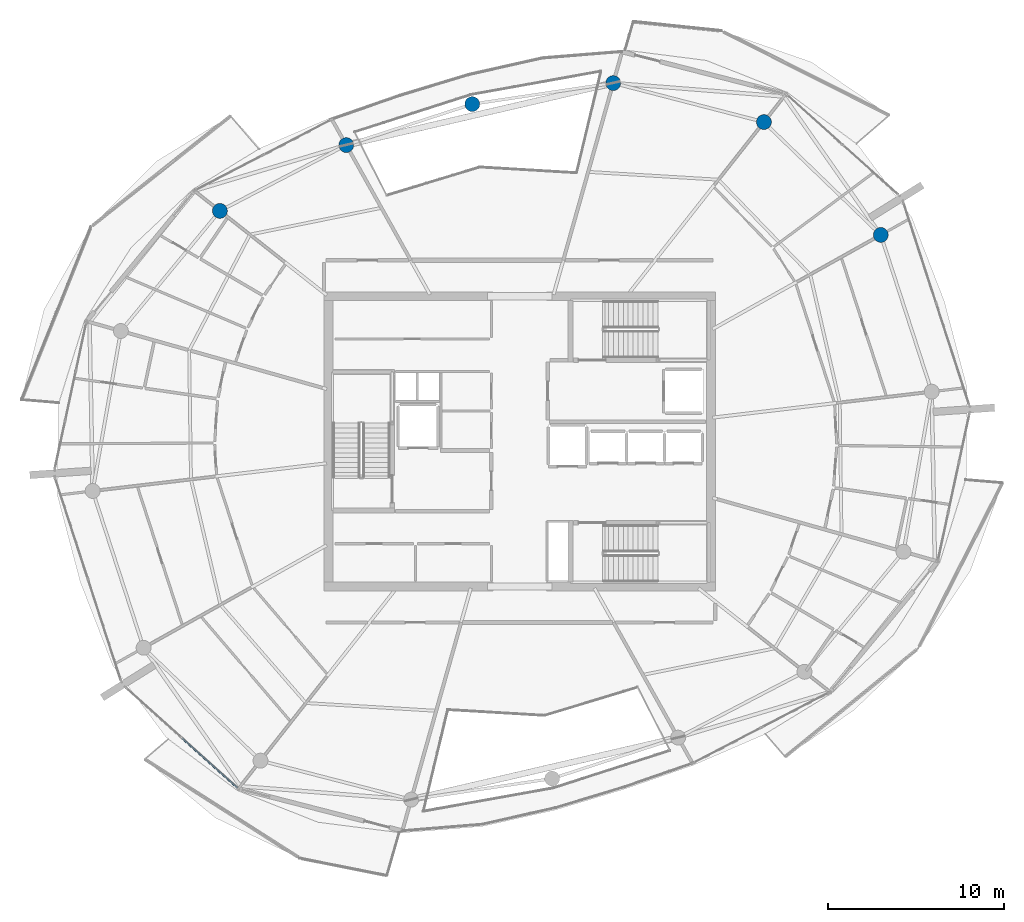
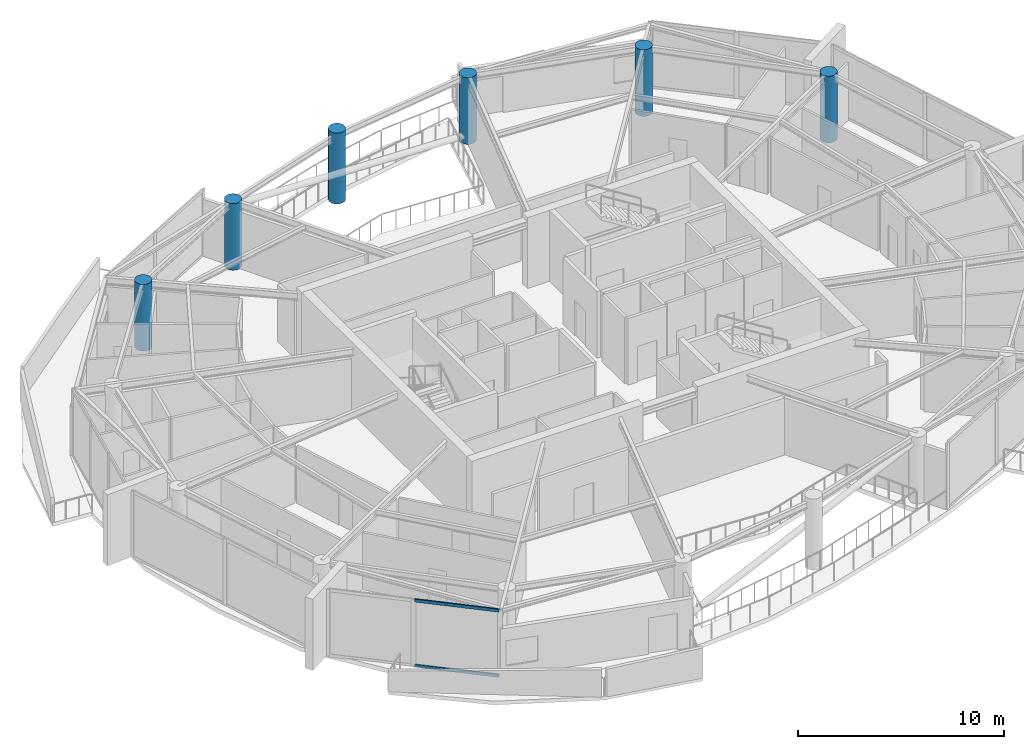
# One storey, part 4 of 22: 6 columns, 2 members, 1 element without a shape of its own.
"""IFC4 building model written with IfcOpenShell, lengths in metres."""

import ifcopenshell
import ifcopenshell.guid

model = None  # the IFC model being written
_history = None  # IfcOwnerHistory: only IFC2X3 demands one
_inside = {}  # id of a spatial element -> (the spatial element, [elements in it])
_under = {}  # id of a project, library or spatial element -> (it, [spatial elements below it])
_declared = {}  # id of a project -> (the project, [libraries it declares])
_typed = {}  # id of a type object -> (the type object, [elements of that type])
_made_of = {}  # id of a material, layer set ... -> (it, [elements and type objects made of it])


def new_model(schema):
    """Start an empty IFC model of exactly this schema.

    Asked for "IFC4X3", IfcOpenShell would pick the latest addendum, in which some entities
    have other attributes; the version numbers below select the first issue.
    IFC2X3 requires an IfcOwnerHistory on every rooted entity: one is made here for all.
    """
    global model, _history
    if schema == "IFC4X3":
        model = ifcopenshell.file(schema_version=(4, 3, 0, 0))
    else:
        model = ifcopenshell.file(schema=schema)
    _inside.clear()
    _under.clear()
    _declared.clear()
    _typed.clear()
    _made_of.clear()
    _history = None
    if model.schema == "IFC2X3":
        org = make("IfcOrganization", Name="unknown")
        user = make(
            "IfcPersonAndOrganization",
            ThePerson=make("IfcPerson", FamilyName="unknown"),
            TheOrganization=org,
        )
        app = make(
            "IfcApplication",
            ApplicationDeveloper=org,
            Version="unknown",
            ApplicationFullName="unknown",
            ApplicationIdentifier="unknown",
        )
        _history = make(
            "IfcOwnerHistory",
            OwningUser=user,
            OwningApplication=app,
            ChangeAction="ADDED",
            CreationDate=0,
        )
    return model


def make(cls, **values):
    """One entity of the class cls with the attributes given. An attribute that is None is left unset."""
    return model.create_entity(
        cls, **{name: value for name, value in values.items() if value is not None}
    )


def rooted(cls, **values):
    """An entity with a GlobalId (a new one), such as an element, a storey or a relation."""
    return make(cls, GlobalId=ifcopenshell.guid.new(), OwnerHistory=_history, **values)


def si_unit(unit_type, name, prefix=None):
    """IfcSIUnit, for example si_unit("LENGTHUNIT", "METRE", prefix="MILLI")."""
    return make("IfcSIUnit", UnitType=unit_type, Prefix=prefix, Name=name)


def assignment(units):
    """IfcUnitAssignment: the units of a project."""
    return None if units is None else make("IfcUnitAssignment", Units=units)


def point(xyz):
    """IfcCartesianPoint."""
    return None if xyz is None else make("IfcCartesianPoint", Coordinates=xyz)


def direction(xyz):
    """IfcDirection."""
    return None if xyz is None else make("IfcDirection", DirectionRatios=xyz)


def frame(location, z_axis=None, x_axis=None):
    """IfcAxis2Placement3D, a coordinate frame: its origin and axes. An axis left out is left unset."""
    return make(
        "IfcAxis2Placement3D",
        Location=point(location),
        Axis=direction(z_axis),
        RefDirection=direction(x_axis),
    )


def frame_2d(location, x_axis=None):
    """IfcAxis2Placement2D, a coordinate frame in the plane: its origin and x axis."""
    return make(
        "IfcAxis2Placement2D", Location=point(location), RefDirection=direction(x_axis)
    )


def origin():
    """The frame at (0, 0, 0) with its axes left unset."""
    return frame((0.0, 0.0, 0.0))


def origin_2d():
    """The frame at (0, 0) in the plane with its x axis left unset."""
    return frame_2d((0.0, 0.0))


def place(relative_to, where):
    """IfcLocalPlacement: puts the frame where relative to a parent placement (None: the world)."""
    return make(
        "IfcLocalPlacement", PlacementRelTo=relative_to, RelativePlacement=where
    )


def context(
    kind, dimensions, precision=None, world=None, true_north=None, identifier=None
):
    """IfcGeometricRepresentationContext, for example the 3D "Model" context."""
    return make(
        "IfcGeometricRepresentationContext",
        ContextIdentifier=identifier,
        ContextType=kind,
        CoordinateSpaceDimension=dimensions,
        Precision=precision,
        WorldCoordinateSystem=world,
        TrueNorth=true_north,
    )


def subcontext(parent, identifier, kind, view, scale=None):
    """IfcGeometricRepresentationSubContext, for example "Body" below "Model"."""
    return make(
        "IfcGeometricRepresentationSubContext",
        ContextIdentifier=identifier,
        ContextType=kind,
        ParentContext=parent,
        TargetScale=scale,
        TargetView=view,
    )


def project(units=None, contexts=None):
    """IfcProject with its units and contexts."""
    return rooted(
        "IfcProject",
        Name="project",
        RepresentationContexts=contexts,
        UnitsInContext=assignment(units),
    )


def spatial(cls, under=None, at=None, **own):
    """A site, building, storey or space (cls), placed at a placement, below another one or the project."""
    s = rooted(cls, ObjectPlacement=at, **own)
    if under is not None:
        _under.setdefault(under.id(), (under, []))[1].append(s)
    return s


def profile(cls, at=None, kind="AREA", **sizes):
    """A parametric profile (cls). Its sizes go by their IFC names, for example OverallWidth=200.0."""
    return make(cls, ProfileType=kind, Position=at, **sizes)


def rectangle(**sizes):
    """IfcRectangleProfileDef."""
    return profile("IfcRectangleProfileDef", **sizes)


def circle(**sizes):
    """IfcCircleProfileDef."""
    return profile("IfcCircleProfileDef", **sizes)


def extrude(swept, where, along, depth):
    """IfcExtrudedAreaSolid: the profile swept, set in the frame where, extruded along a direction by depth."""
    return make(
        "IfcExtrudedAreaSolid",
        SweptArea=swept,
        Position=where,
        ExtrudedDirection=direction(along),
        Depth=depth,
    )


def shape(context_of_items, identifier, shape_type, items):
    """IfcShapeRepresentation: the items that make up one representation, for example the "Body"."""
    return make(
        "IfcShapeRepresentation",
        ContextOfItems=context_of_items,
        RepresentationIdentifier=identifier,
        RepresentationType=shape_type,
        Items=items,
    )


def material(Name=None, Category=None):
    """IfcMaterial."""
    return make("IfcMaterial", Name=Name, Category=Category)


def layer(
    of_material, thickness, ventilated=None, Name=None, Category=None, Priority=None
):
    """IfcMaterialLayer: one layer of a wall or slab, of a material (None: an air gap)."""
    return make(
        "IfcMaterialLayer",
        Material=of_material,
        LayerThickness=thickness,
        IsVentilated=ventilated,
        Name=Name,
        Category=Category,
        Priority=Priority,
    )


def layer_set(layers, Name=None):
    """IfcMaterialLayerSet."""
    return make("IfcMaterialLayerSet", MaterialLayers=layers, LayerSetName=Name)


def material_profile(
    of_material, cross_section, Name=None, Category=None, Priority=None
):
    """IfcMaterialProfile: a cross section and its material."""
    return make(
        "IfcMaterialProfile",
        Name=Name,
        Material=of_material,
        Profile=cross_section,
        Priority=Priority,
        Category=Category,
    )


def profile_set(profiles, Name=None, composite=None):
    """IfcMaterialProfileSet."""
    return make(
        "IfcMaterialProfileSet",
        Name=Name,
        MaterialProfiles=profiles,
        CompositeProfile=composite,
    )


def made_of(thing, what):
    """Note that an element or type object is made of a material, layer set ...; save() writes the relation."""
    if what is not None:
        _made_of.setdefault(what.id(), (what, []))[1].append(thing)
    return thing


def type_object(cls, material=None, **own):
    """A type object (cls), such as IfcWallType, which elements share."""
    return made_of(rooted(cls, **own), material)


def element(
    cls,
    number,
    at=None,
    inside=None,
    cuts=None,
    type_object=None,
    material=None,
    context=None,
    identifier="Body",
    shape_type=None,
    held_by="IfcProductDefinitionShape",
    body=None,
    shapes=None,
    **own,
):
    """One element of the class cls, such as IfcWall. Its Tag is "e" and its number.

    at: its placement. inside: the storey or other place that contains it. cuts: it is an
    opening in that element (IfcRelVoidsElement). A single representation is given by context,
    identifier, shape_type and body (its items); several are given by shapes. held_by: the class
    of the entity that holds the representations. save() writes the other relations.
    """
    e = rooted(cls, Tag="e%d" % number, ObjectPlacement=at, **own)
    if body is not None:
        shapes = [shape(context, identifier, shape_type, body)]
    if shapes is not None:
        e.Representation = make(held_by, Representations=shapes)
    if inside is not None:
        _inside.setdefault(inside.id(), (inside, []))[1].append(e)
    if cuts is not None:
        rooted(
            "IfcRelVoidsElement", RelatingBuildingElement=cuts, RelatedOpeningElement=e
        )
    if type_object is not None:
        _typed.setdefault(type_object.id(), (type_object, []))[1].append(e)
    return made_of(e, material)


def aggregate(whole, parts):
    """IfcRelAggregates: a whole, such as a stair, and the parts it consists of."""
    return rooted("IfcRelAggregates", RelatingObject=whole, RelatedObjects=parts)


def save(model, path):
    """Write the relations noted so far, then the file.

    IfcRelAggregates (storeys below a building ...), IfcRelContainedInSpatialStructure (elements
    in a storey), IfcRelDefinesByType, IfcRelAssociatesMaterial and IfcRelDeclares: one each for
    every whole, place, type object, material and project.
    """
    for whole, parts in _under.values():
        aggregate(whole, parts)
    for where, things in _inside.values():
        rooted(
            "IfcRelContainedInSpatialStructure",
            RelatedElements=things,
            RelatingStructure=where,
        )
    for kind, things in _typed.values():
        rooted("IfcRelDefinesByType", RelatedObjects=things, RelatingType=kind)
    for what, things in _made_of.values():
        rooted("IfcRelAssociatesMaterial", RelatedObjects=things, RelatingMaterial=what)
    for by, libraries in _declared.values():
        rooted("IfcRelDeclares", RelatingContext=by, RelatedDefinitions=libraries)
    model.write(path)


model = new_model("IFC4")

# Units and contexts
model_context = context("Model", 3, precision=1e-05, world=origin(), true_north=direction((0.0, 1.0)))
body_context = subcontext(model_context, "Body", "Model", "MODEL_VIEW")
ifc_project = project(units=[si_unit("LENGTHUNIT", "METRE"), si_unit("AREAUNIT", "SQUARE_METRE"), si_unit("VOLUMEUNIT", "CUBIC_METRE"), si_unit("PLANEANGLEUNIT", "RADIAN"), si_unit("MASSUNIT", "GRAM", prefix="KILO")], contexts=[model_context])

# Site, building, storey
site_placement = place(None, origin())
site = spatial("IfcSite", under=ifc_project, at=site_placement, CompositionType="ELEMENT")
building_placement = place(site_placement, origin())
building = spatial("IfcBuilding", under=site, at=building_placement, Name="Kazma Halo Residences", CompositionType="ELEMENT")
storey_placement = place(building_placement, frame((0.0, 0.0, 330.5)))
storey = spatial("IfcBuildingStorey", under=building, at=storey_placement, Name="L83", CompositionType="ELEMENT", Elevation=330.5)

# Columns
ifc_material_1 = material(Name="Concrete C60/75", Category="concrete")
ifc_material_profile_1 = material_profile(ifc_material_1, circle(Radius=0.425048828125, at=origin_2d()), Name="CIRC850")
ifc_profile_set_1 = profile_set([ifc_material_profile_1], Name="Concrete C60/75")
column_type = type_object("IfcColumnType", Name="COL-PERIM-850", PredefinedType="COLUMN", material=ifc_profile_set_1)
for number, where, z_axis, x_axis, name in (
    (1, (68.96337890625, 53.739990234375, 0.0), (0.0, 0.0, 1.0), (1.0, 0.0, 0.0), "L83 perimeter ring column P01"),
    (2, (62.31591796875, 60.159423828125, 0.0), (0.0, 0.0, 1.0), (1.0, 0.0, 0.0), "L83 perimeter ring column P02"),
    (3, (53.74658203125, 62.37646484375, 0.0), (0.0, 0.0, 1.0), (1.0, 0.0, 0.0), "L83 perimeter ring column P03"),
):
    element("IfcColumn", number, at=place(storey_placement, frame(where, z_axis=z_axis, x_axis=x_axis)), inside=storey, type_object=column_type, Name=name, PredefinedType="COLUMN", context=body_context, shape_type="SweptSolid", body=[
        extrude(circle(Radius=0.425048828125, at=origin_2d()), origin(), (0.0, 0.0, 1.0), 3.93994140625),
    ])
column_placement = place(storey_placement, frame((45.72998046875, 61.17919921875, 0.0), z_axis=(0.0, 0.0, 1.0), x_axis=(1.0, 0.0, 0.0)))
element("IfcColumn", 4, at=column_placement, inside=storey, type_object=column_type, Name="L83 perimeter ring column P04", PredefinedType="COLUMN", context=body_context, shape_type="SweptSolid", body=[
    extrude(circle(Radius=0.425048828125, at=origin_2d()), origin(), (0.0, 0.0, 1.0), 4.196044921875),
])
for number, where, z_axis, x_axis, name in (
    (5, (38.563232421875, 58.8505859375, 0.0), (0.0, 0.0, 1.0), (1.0, 0.0, 0.0), "L83 perimeter ring column P05"),
    (6, (31.373779296875, 55.10693359375, 0.0), (0.0, 0.0, 1.0), (1.0, 0.0, 0.0), "L83 perimeter ring column P06"),
):
    element("IfcColumn", number, at=place(storey_placement, frame(where, z_axis=z_axis, x_axis=x_axis)), inside=storey, type_object=column_type, Name=name, PredefinedType="COLUMN", context=body_context, shape_type="SweptSolid", body=[
        extrude(circle(Radius=0.425048828125, at=origin_2d()), origin(), (0.0, 0.0, 1.0), 3.93994140625),
    ])

# Curtain wall, members
ifc_material_2 = material(Name="Aluminium AW-6063 T6 and Triple-Silver Low-E Glass", Category="aluminium")
ifc_layer = layer(ifc_material_2, 0.239990234375)
ifc_layer_set = layer_set([ifc_layer], Name="Aluminium AW-6063 T6 and Triple-Silver Low-E Glass")
curtain_wall_type = type_object("IfcCurtainWallType", Name="CW-SYS-6", PredefinedType="NOTDEFINED", material=ifc_layer_set)
curtain_wall_placement = place(storey_placement, origin())
curtain_wall = element("IfcCurtainWall", 7, at=curtain_wall_placement, inside=storey, type_object=curtain_wall_type, Name="L83 unitised curtain wall B09", PredefinedType="NOTDEFINED")
ifc_material_3 = material(Name="Aluminium AW-6063 T6", Category="aluminium")
ifc_material_profile_2 = material_profile(ifc_material_3, rectangle(XDim=0.080078125, YDim=0.179931640625, at=origin_2d()), Name="CWT-80x180")
ifc_profile_set_2 = profile_set([ifc_material_profile_2], Name="Aluminium AW-6063 T6")
member_type = type_object("IfcMemberType", Name="CW-SYS-6-TRN", PredefinedType="USERDEFINED", material=ifc_profile_set_2)
member_1_placement = place(storey_placement, frame((29.2451171875, 25.103515625, 0.0400390625), z_axis=(0.744403905463, -0.667729605103, 0.0), x_axis=(0.667729605103, 0.744403905463, 0.0)))
member_1 = element("IfcMember", 8, at=member_1_placement, type_object=member_type, Name="CWS-6 transom 2.1", ObjectType="TRANSOM", PredefinedType="USERDEFINED", context=body_context, shape_type="SweptSolid", body=[
    extrude(rectangle(XDim=0.080078125, YDim=0.179931640625, at=origin_2d()), origin(), (0.0, 0.0, 1.0), 4.19677734375),
])
member_2_placement = place(storey_placement, frame((29.2451171875, 25.103515625, 3.89990234375), z_axis=(0.744403905463, -0.667729605103, 0.0), x_axis=(0.667729605103, 0.744403905463, 0.0)))
member_2 = element("IfcMember", 9, at=member_2_placement, type_object=member_type, Name="CWS-6 transom 2.2", ObjectType="TRANSOM", PredefinedType="USERDEFINED", context=body_context, shape_type="SweptSolid", body=[
    extrude(rectangle(XDim=0.080078125, YDim=0.179931640625, at=origin_2d()), origin(), (0.0, 0.0, 1.0), 4.19677734375),
])
aggregate(curtain_wall, [member_1, member_2])

save(model, "model.ifc")
